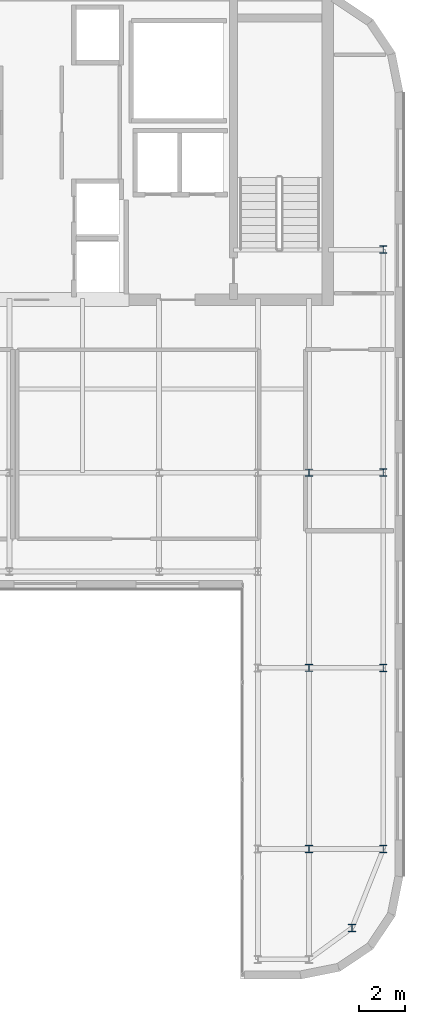
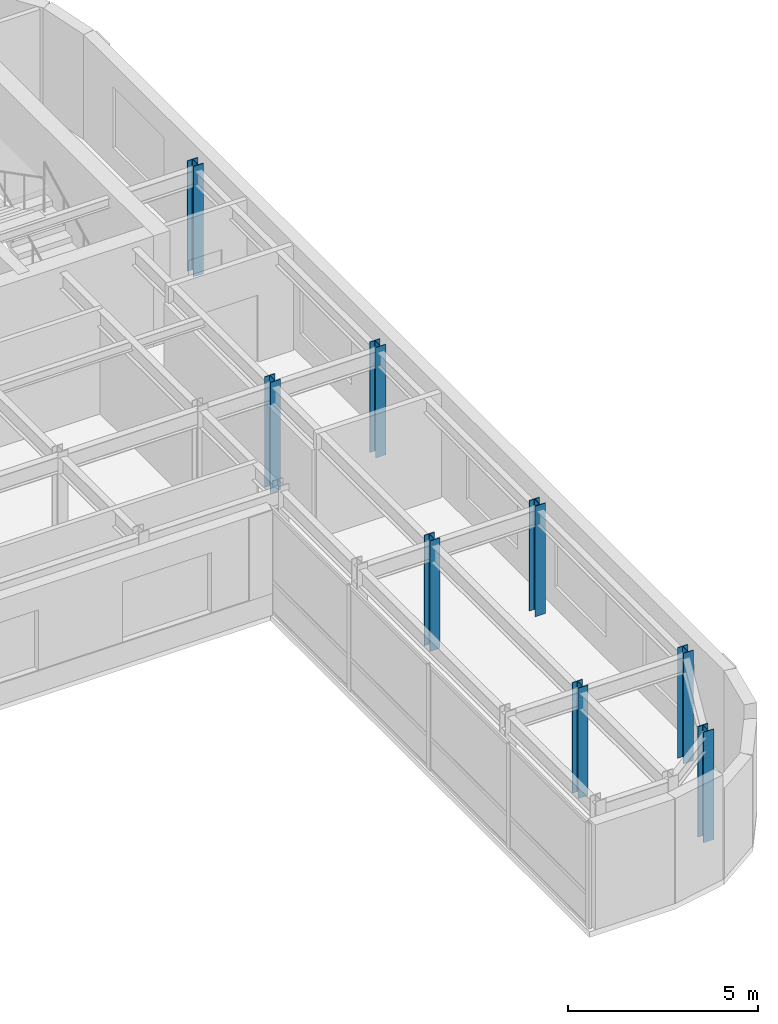
# One storey, part 2 of 20: 8 columns.
"""IFC4 building model written with IfcOpenShell, lengths in metres."""

from ifc_helpers import new_model, si_unit, direction, frame, origin, origin_2d, place, context, subcontext, project, spatial, i_section, extrude, source, transform, mapped, material, material_profile, profile_set, type_object, type_shapes, element, save


model = new_model("IFC4")

# Units and contexts
model_context = context("Model", 3, precision=1e-05, world=origin(), true_north=direction((0.0, 1.0)))
body_context = subcontext(model_context, "Body", "Model", "MODEL_VIEW")
ifc_project = project(units=[si_unit("LENGTHUNIT", "METRE"), si_unit("AREAUNIT", "SQUARE_METRE"), si_unit("VOLUMEUNIT", "CUBIC_METRE"), si_unit("PLANEANGLEUNIT", "RADIAN"), si_unit("MASSUNIT", "GRAM", prefix="KILO")], contexts=[model_context])

# Site, building, storey
site_placement = place(None, origin())
site = spatial("IfcSite", under=ifc_project, at=site_placement, CompositionType="ELEMENT")
building_placement = place(site_placement, origin())
building = spatial("IfcBuilding", under=site, at=building_placement, Name="Tolvann Quenvar Hotel", CompositionType="ELEMENT")
storey_placement = place(building_placement, frame((0.0, 0.0, 248.75)))
storey = spatial("IfcBuildingStorey", under=building, at=storey_placement, Name="L66", CompositionType="ELEMENT", Elevation=248.75)

# Columns
ifc_material = material(Name="Steel Grade 350", Category="steel")
ifc_material_profile_1 = material_profile(ifc_material, i_section(OverallWidth=0.30908203125, OverallDepth=0.321044921875, WebThickness=0.013916015625, FlangeThickness=0.021728515625, FilletRadius=0.0166015625, at=origin_2d()), Name="310UC137")
ifc_profile_set_1 = profile_set([ifc_material_profile_1], Name="Steel Grade 350")
column_type_1 = type_object("IfcColumnType", Name="COL_310UC137", PredefinedType="COLUMN", material=ifc_profile_set_1)
shared_shape_1 = source(origin(), body_context, "Body", "SweptSolid", [
    extrude(i_section(OverallWidth=0.30908203125, OverallDepth=0.321044921875, WebThickness=0.013916015625, FlangeThickness=0.021728515625, FilletRadius=0.0166015625, at=origin_2d()), origin(), (0.0, 0.0, 1.0), 3.550048828125),
])
type_shapes(column_type_1, [shared_shape_1])
for number, where, z_axis, x_axis, name in (
    (1, (36.800048828125, 4.800048828125, 0.0), (0.0, 0.0, 1.0), (1.0, 0.0, 0.0), "Column G2 (L66)"),
    (2, (38.14990234375, 8.199951171875, 0.0), (0.0, 0.0, 1.0), (1.0, 0.0, 0.0), "Column G3 (L66)"),
    (3, (38.14990234375, 16.0, 0.0), (0.0, 0.0, 1.0), (1.0, 0.0, 0.0), "Column G4 (L66)"),
    (4, (38.14990234375, 24.39990234375, 0.0), (0.0, 0.0, 1.0), (1.0, 0.0, 0.0), "Column G5 (L66)"),
    (5, (38.14990234375, 34.0, 0.0), (0.0, 0.0, 1.0), (1.0, 0.0, 0.0), "Column GD6 (L66)"),
):
    element("IfcColumn", number, at=place(storey_placement, frame(where, z_axis=z_axis, x_axis=x_axis)), inside=storey, type_object=column_type_1, Name=name, PredefinedType="COLUMN", context=body_context, shape_type="MappedRepresentation", body=[
        mapped(shared_shape_1, transform((0.0, 0.0, 0.0), x_axis=(1.0, 0.0, 0.0), y_axis=(0.0, 1.0, 0.0), z_axis=(0.0, 0.0, 1.0), scale=1.0)),
    ])
ifc_material_profile_2 = material_profile(ifc_material, i_section(OverallWidth=0.306884765625, OverallDepth=0.31494140625, WebThickness=0.011962890625, FlangeThickness=0.018798828125, FilletRadius=0.0166015625, at=origin_2d()), Name="310UC118")
ifc_profile_set_2 = profile_set([ifc_material_profile_2], Name="Steel Grade 350")
column_type_2 = type_object("IfcColumnType", Name="COL_310UC118", PredefinedType="COLUMN", material=ifc_profile_set_2)
shared_shape_2 = source(origin(), body_context, "Body", "SweptSolid", [
    extrude(i_section(OverallWidth=0.306884765625, OverallDepth=0.31494140625, WebThickness=0.011962890625, FlangeThickness=0.018798828125, FilletRadius=0.0166015625, at=origin_2d()), origin(), (0.0, 0.0, 1.0), 3.550048828125),
])
type_shapes(column_type_2, [shared_shape_2])
for number, where, z_axis, x_axis, name in (
    (6, (34.949951171875, 8.199951171875, 0.0), (0.0, 0.0, 1.0), (1.0, 0.0, 0.0), "Column F3 (L66)"),
    (7, (34.949951171875, 16.0, 0.0), (0.0, 0.0, 1.0), (1.0, 0.0, 0.0), "Column F4 (L66)"),
    (8, (34.949951171875, 24.39990234375, 0.0), (0.0, 0.0, 1.0), (1.0, 0.0, 0.0), "Column F5 (L66)"),
):
    element("IfcColumn", number, at=place(storey_placement, frame(where, z_axis=z_axis, x_axis=x_axis)), inside=storey, type_object=column_type_2, Name=name, PredefinedType="COLUMN", context=body_context, shape_type="MappedRepresentation", body=[
        mapped(shared_shape_2, transform((0.0, 0.0, 0.0), x_axis=(1.0, 0.0, 0.0), y_axis=(0.0, 1.0, 0.0), z_axis=(0.0, 0.0, 1.0), scale=1.0)),
    ])

save(model, "model.ifc")
